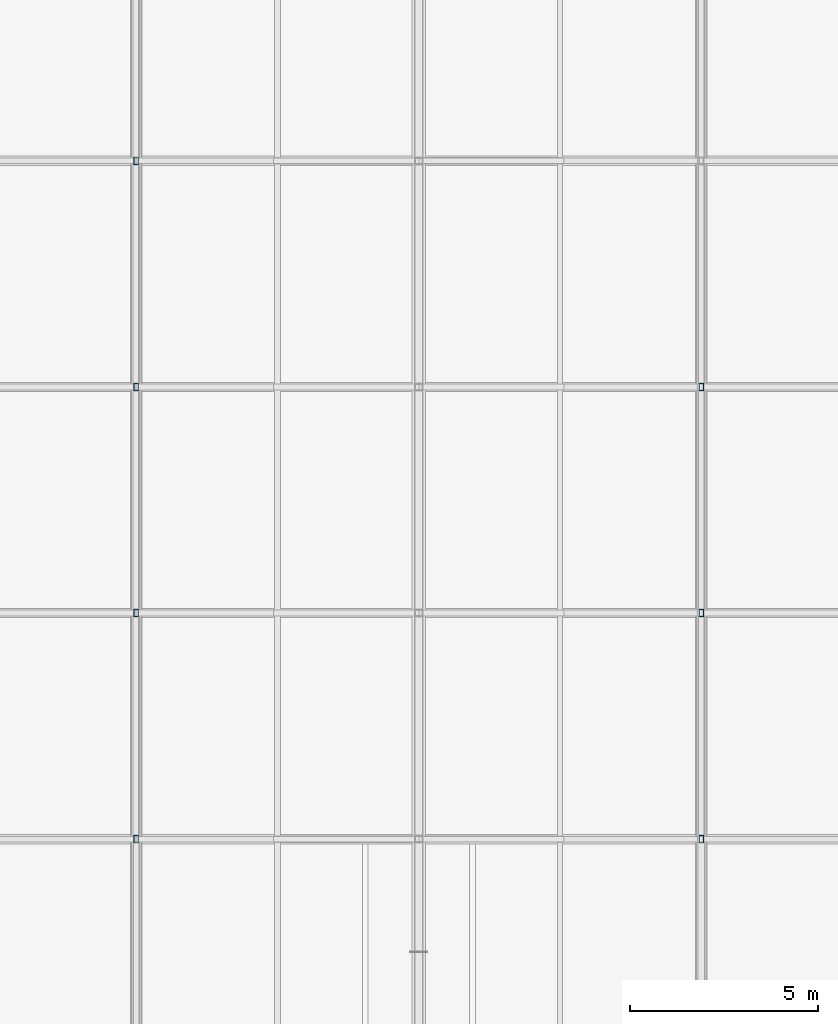
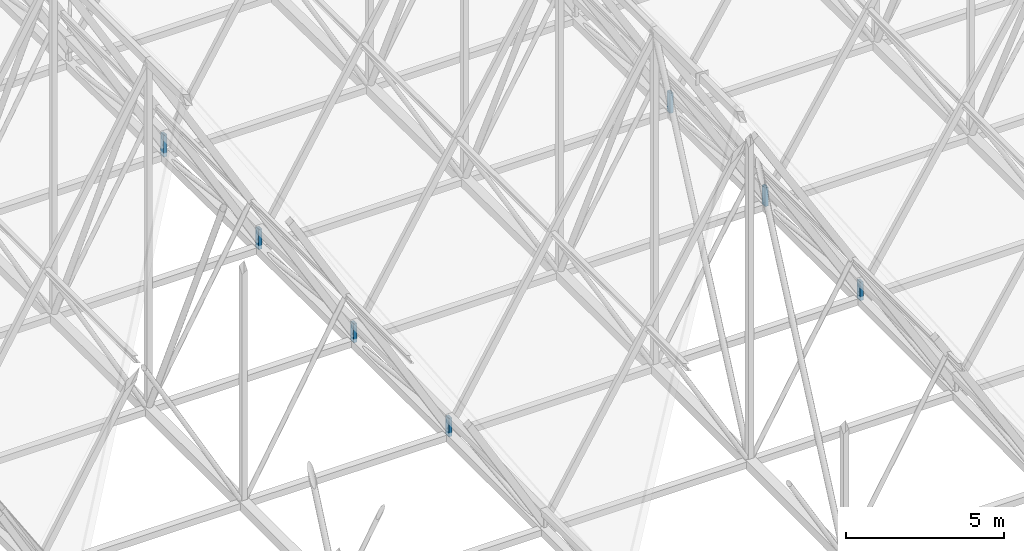
# One storey, part 260 of 324: 7 members.
"""IFC4 building model written with IfcOpenShell, lengths in metres."""

from ifc_helpers import new_model, si_unit, direction, frame, origin, origin_2d, place, context, subcontext, project, spatial, hollow_rectangle, extrude, material, material_profile, profile_set, type_object, element, save


model = new_model("IFC4")

# Units and contexts
model_context = context("Model", 3, precision=1e-05, world=origin(), true_north=direction((0.0, 1.0)))
body_context = subcontext(model_context, "Body", "Model", "MODEL_VIEW")
ifc_project = project(units=[si_unit("LENGTHUNIT", "METRE"), si_unit("AREAUNIT", "SQUARE_METRE"), si_unit("VOLUMEUNIT", "CUBIC_METRE"), si_unit("PLANEANGLEUNIT", "RADIAN"), si_unit("MASSUNIT", "GRAM", prefix="KILO")], contexts=[model_context])

# Site, building, storey
site_placement = place(None, origin())
site = spatial("IfcSite", under=ifc_project, at=site_placement, CompositionType="ELEMENT")
building_placement = place(site_placement, origin())
building = spatial("IfcBuilding", under=site, at=building_placement, Name="Solvenia Promenade Tram Depot", CompositionType="ELEMENT")
storey_placement = place(building_placement, frame((0.0, 0.0, 4.5)))
storey = spatial("IfcBuildingStorey", under=building, at=storey_placement, Name="L01", CompositionType="ELEMENT", Elevation=4.5)

# Members
ifc_material = material(Name="Structural steel ASTM A500 Gr. C", Category="steel")
ifc_material_profile = material_profile(ifc_material, hollow_rectangle(XDim=0.1201171875, YDim=0.199951171875, WallThickness=0.008056640625, at=origin_2d()), Name="HSS200x120x8", Category="steel")
ifc_profile_set = profile_set([ifc_material_profile], Name="Structural steel ASTM A500 Gr. C")
member_type = type_object("IfcMemberType", Name="Post-HSS200x120x8", PredefinedType="POST", material=ifc_profile_set)
member_1_placement = place(storey_placement, frame((105.0, 96.0, 2.669921875), z_axis=(0.0, 0.0, 1.0), x_axis=(1.0, 0.0, 0.0)))
element("IfcMember", 1, at=member_1_placement, inside=storey, type_object=member_type, Name="Arched Truss T15 Web Post S05", PredefinedType="POST", context=body_context, shape_type="SweptSolid", body=[
    extrude(hollow_rectangle(XDim=0.1201171875, YDim=0.199951171875, WallThickness=0.008056640625, at=origin_2d()), origin(), (0.0, 0.0, 1.0), 0.7099609375),
])
member_2_placement = place(storey_placement, frame((105.0, 102.0, 2.656005859375), z_axis=(0.0, 0.0, 1.0), x_axis=(1.0, 0.0, 0.0)))
element("IfcMember", 2, at=member_2_placement, inside=storey, type_object=member_type, Name="Arched Truss T15 Web Post S06", PredefinedType="POST", context=body_context, shape_type="SweptSolid", body=[
    extrude(hollow_rectangle(XDim=0.1201171875, YDim=0.199951171875, WallThickness=0.008056640625, at=origin_2d()), origin(), (0.0, 0.0, 1.0), 0.723876953125),
])
member_3_placement = place(storey_placement, frame((105.0, 108.0, 2.614013671875), z_axis=(0.0, 0.0, 1.0), x_axis=(1.0, 0.0, 0.0)))
element("IfcMember", 3, at=member_3_placement, inside=storey, type_object=member_type, Name="Arched Truss T15 Web Post S07", PredefinedType="POST", context=body_context, shape_type="SweptSolid", body=[
    extrude(hollow_rectangle(XDim=0.1201171875, YDim=0.199951171875, WallThickness=0.008056640625, at=origin_2d()), origin(), (0.0, 0.0, 1.0), 0.765869140625),
])
member_4_placement = place(storey_placement, frame((105.0, 114.0, 2.5439453125), z_axis=(0.0, 0.0, 1.0), x_axis=(1.0, 0.0, 0.0)))
element("IfcMember", 4, at=member_4_placement, inside=storey, type_object=member_type, Name="Arched Truss T15 Web Post S08", PredefinedType="POST", context=body_context, shape_type="SweptSolid", body=[
    extrude(hollow_rectangle(XDim=0.1201171875, YDim=0.199951171875, WallThickness=0.008056640625, at=origin_2d()), origin(), (0.0, 0.0, 1.0), 0.8359375),
])
member_5_placement = place(storey_placement, frame((120.0, 96.0, 2.669921875), z_axis=(0.0, 0.0, 1.0), x_axis=(1.0, 0.0, 0.0)))
element("IfcMember", 5, at=member_5_placement, inside=storey, type_object=member_type, Name="Arched Truss T17 Web Post S05", PredefinedType="POST", context=body_context, shape_type="SweptSolid", body=[
    extrude(hollow_rectangle(XDim=0.1201171875, YDim=0.199951171875, WallThickness=0.008056640625, at=origin_2d()), origin(), (0.0, 0.0, 1.0), 0.7099609375),
])
member_6_placement = place(storey_placement, frame((120.0, 102.0, 2.656005859375), z_axis=(0.0, 0.0, 1.0), x_axis=(1.0, 0.0, 0.0)))
element("IfcMember", 6, at=member_6_placement, inside=storey, type_object=member_type, Name="Arched Truss T17 Web Post S06", PredefinedType="POST", context=body_context, shape_type="SweptSolid", body=[
    extrude(hollow_rectangle(XDim=0.1201171875, YDim=0.199951171875, WallThickness=0.008056640625, at=origin_2d()), origin(), (0.0, 0.0, 1.0), 0.723876953125),
])
member_7_placement = place(storey_placement, frame((120.0, 108.0, 2.614013671875), z_axis=(0.0, 0.0, 1.0), x_axis=(1.0, 0.0, 0.0)))
element("IfcMember", 7, at=member_7_placement, inside=storey, type_object=member_type, Name="Arched Truss T17 Web Post S07", PredefinedType="POST", context=body_context, shape_type="SweptSolid", body=[
    extrude(hollow_rectangle(XDim=0.1201171875, YDim=0.199951171875, WallThickness=0.008056640625, at=origin_2d()), origin(), (0.0, 0.0, 1.0), 0.765869140625),
])

save(model, "model.ifc")
